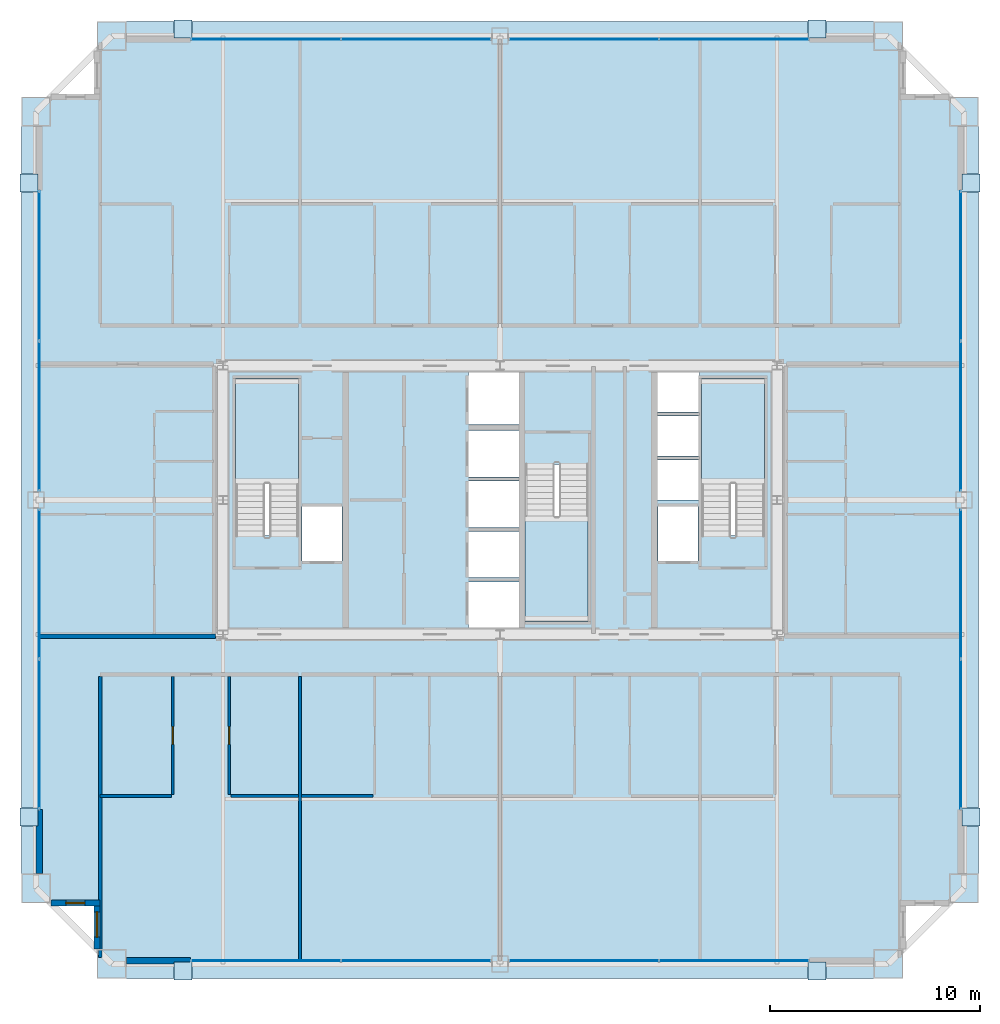
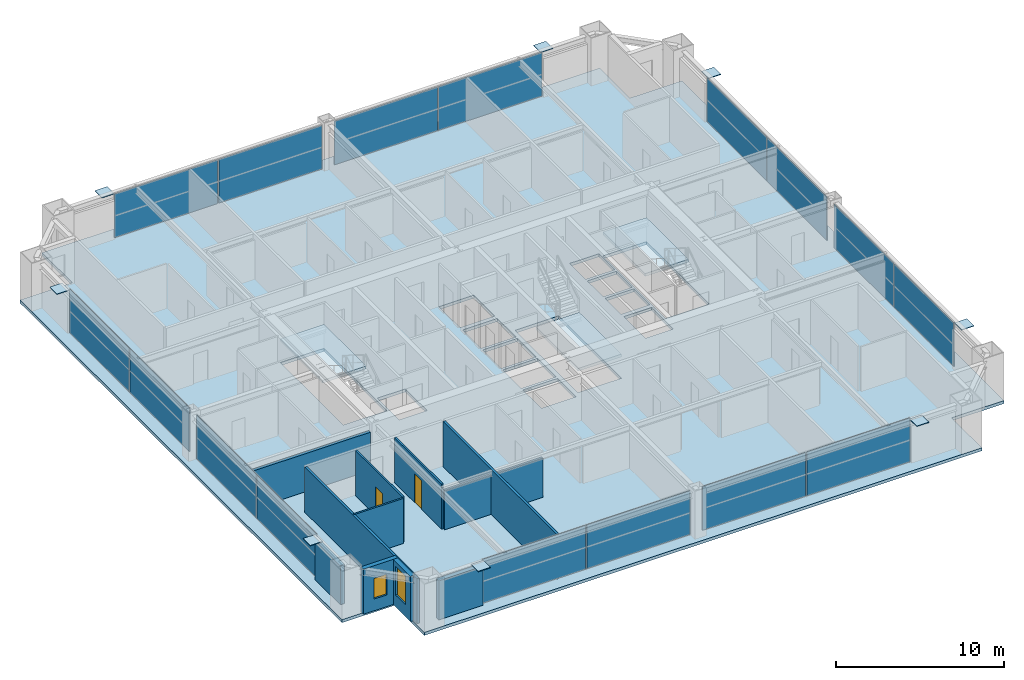
# One storey, part 32 of 38: 24 plates, 12 walls, 4 slabs, 2 doors, 2 windows, 4 openings, 11 elements without a shape of their own.
"""IFC4 building model written with IfcOpenShell, lengths in metres."""

from ifc_helpers import new_model, si_unit, direction, frame, frame_2d, origin, origin_2d, place, context, subcontext, project, spatial, polyline, rectangle, outline, extrude, source, transform, mapped, material, layer, layer_set, type_object, element, fill, aggregate, save


model = new_model("IFC4")

# Units and contexts
model_context = context("Model", 3, precision=1e-05, world=origin(), true_north=direction((0.0, 1.0)))
body_context = subcontext(model_context, "Body", "Model", "MODEL_VIEW")
ifc_project = project(units=[si_unit("LENGTHUNIT", "METRE"), si_unit("AREAUNIT", "SQUARE_METRE"), si_unit("VOLUMEUNIT", "CUBIC_METRE"), si_unit("PLANEANGLEUNIT", "RADIAN"), si_unit("MASSUNIT", "GRAM", prefix="KILO"), si_unit("THERMODYNAMICTEMPERATUREUNIT", "KELVIN"), si_unit("POWERUNIT", "WATT")], contexts=[model_context])

# Site, building, storey
site_placement = place(None, origin())
site = spatial("IfcSite", under=ifc_project, at=site_placement, CompositionType="ELEMENT")
building_placement = place(site_placement, origin())
building = spatial("IfcBuilding", under=site, at=building_placement, Name="Yuzanri Waterfront Tower", CompositionType="ELEMENT")
storey_placement = place(building_placement, frame((0.0, 0.0, 188.0)))
storey = spatial("IfcBuildingStorey", under=building, at=storey_placement, Name="L49", CompositionType="ELEMENT", Elevation=188.0)

# Stair, slab
ifc_material_1 = material(Name="Concrete C40", Category="concrete")
stair_type = type_object("IfcStairType", Name="Concrete C40 Core Dogleg Exit Stair", PredefinedType="HALF_TURN_STAIR", material=ifc_material_1)
stair_1_placement = place(storey_placement, origin())
stair_1 = element("IfcStair", 1, at=stair_1_placement, inside=storey, type_object=stair_type, Name="L49 Smoke-Proof Core Stair ST-01", PredefinedType="HALF_TURN_STAIR")
ifc_material_2 = material(Name="Concrete C40", Category="concrete")
ifc_layer_1 = layer(ifc_material_2, 0.179931640625)
ifc_layer_set_1 = layer_set([ifc_layer_1], Name="Concrete C40")
slab_type_1 = type_object("IfcSlabType", Name="Concrete C40 Stair Half-Landing Slab 180", PredefinedType="LANDING", material=ifc_layer_set_1)
slab_1_placement = place(storey_placement, frame((0.0, 0.0, 1.550048828125)))
slab_1 = element("IfcSlab", 2, at=slab_1_placement, type_object=slab_type_1, Name="ST-01 landing 1", PredefinedType="LANDING", context=body_context, shape_type="SweptSolid", body=[
    extrude(outline(polyline([(27.39990234375, 26.56005859375), (27.39990234375, 31.580078125), (24.39990234375, 31.580078125), (24.39990234375, 26.56005859375), (27.39990234375, 26.56005859375)])), origin(), (0.0, 0.0, 1.0), 0.199951171875),
])
aggregate(stair_1, [slab_1])

stair_2_placement = place(storey_placement, origin())
stair_2 = element("IfcStair", 3, at=stair_2_placement, inside=storey, type_object=stair_type, Name="L49 Smoke-Proof Core Stair ST-02", PredefinedType="HALF_TURN_STAIR")
slab_2_placement = place(storey_placement, frame((0.0, 0.0, 1.550048828125)))
slab_2 = element("IfcSlab", 4, at=slab_2_placement, type_object=slab_type_1, Name="ST-02 landing 1", PredefinedType="LANDING", context=body_context, shape_type="SweptSolid", body=[
    extrude(outline(polyline([(49.60009765625, 26.56005859375), (49.60009765625, 31.580078125), (46.60009765625, 31.580078125), (46.60009765625, 26.56005859375), (49.60009765625, 26.56005859375)])), origin(), (0.0, 0.0, 1.0), 0.199951171875),
])
aggregate(stair_2, [slab_2])

stair_3_placement = place(storey_placement, origin())
stair_3 = element("IfcStair", 5, at=stair_3_placement, inside=storey, type_object=stair_type, Name="L49 Smoke-Proof Core Stair ST-03", PredefinedType="HALF_TURN_STAIR")
slab_3_placement = place(storey_placement, frame((0.0, 0.0, 1.550048828125)))
slab_3 = element("IfcSlab", 6, at=slab_3_placement, type_object=slab_type_1, Name="ST-03 landing 1", PredefinedType="LANDING", context=body_context, shape_type="SweptSolid", body=[
    extrude(outline(polyline([(38.199951171875, 25.0400390625), (38.199951171875, 20.02001953125), (41.199951171875, 20.02001953125), (41.199951171875, 25.0400390625), (38.199951171875, 25.0400390625)])), origin(), (0.0, 0.0, 1.0), 0.199951171875),
])
aggregate(stair_3, [slab_3])

# Slab
ifc_material_3 = material(Name="Concrete C40", Category="concrete")
ifc_layer_2 = layer(ifc_material_3, 0.219970703125)
ifc_layer_set_2 = layer_set([ifc_layer_2], Name="Concrete C40")
slab_type_2 = type_object("IfcSlabType", Name="Concrete C40 Tower Typical Structural Floor Slab 220", PredefinedType="FLOOR", material=ifc_layer_set_2)
slab_4_placement = place(storey_placement, frame((0.0, 0.0, -0.219970703125)))
element("IfcSlab", 7, at=slab_4_placement, inside=storey, type_object=slab_type_2, Name="L49 Main Structural Floor Slab", PredefinedType="FLOOR", context=body_context, shape_type="SweptSolid", body=[
    extrude(outline(polyline([(17.800048828125, 3.0), (56.199951171875, 3.0), (56.199951171875, 6.60009765625), (59.800048828125, 6.60009765625), (59.800048828125, 45.0), (56.199951171875, 45.0), (56.199951171875, 48.60009765625), (17.800048828125, 48.60009765625), (17.800048828125, 45.0), (14.199951171875, 45.0), (14.199951171875, 6.60009765625), (17.800048828125, 6.60009765625), (17.800048828125, 3.0)]), holes=[polyline([(27.39990234375, 24.10009765625), (27.39990234375, 31.580078125), (24.39990234375, 31.580078125), (24.39990234375, 24.10009765625), (27.39990234375, 24.10009765625)]), polyline([(49.60009765625, 24.10009765625), (49.60009765625, 31.580078125), (46.60009765625, 31.580078125), (46.60009765625, 24.10009765625), (49.60009765625, 24.10009765625)]), polyline([(38.199951171875, 27.5), (38.199951171875, 20.02001953125), (41.199951171875, 20.02001953125), (41.199951171875, 27.5), (38.199951171875, 27.5)]), polyline([(27.56005859375, 22.89990234375), (29.47998046875, 22.89990234375), (29.47998046875, 25.5), (27.56005859375, 25.5), (27.56005859375, 22.89990234375)]), polyline([(44.52001953125, 22.89990234375), (46.43994140625, 22.89990234375), (46.43994140625, 25.5), (44.52001953125, 25.5), (44.52001953125, 22.89990234375)]), polyline([(35.5, 19.699951171875), (37.89990234375, 19.699951171875), (37.89990234375, 21.89990234375), (35.5, 21.89990234375), (35.5, 19.699951171875)]), polyline([(35.5, 22.10009765625), (37.89990234375, 22.10009765625), (37.89990234375, 24.300048828125), (35.5, 24.300048828125), (35.5, 22.10009765625)]), polyline([(35.5, 24.5), (37.89990234375, 24.5), (37.89990234375, 26.699951171875), (35.5, 26.699951171875), (35.5, 24.5)]), polyline([(35.5, 26.89990234375), (37.89990234375, 26.89990234375), (37.89990234375, 29.10009765625), (35.5, 29.10009765625), (35.5, 26.89990234375)]), polyline([(35.5, 29.39990234375), (37.89990234375, 29.39990234375), (37.89990234375, 31.89990234375), (35.5, 31.89990234375), (35.5, 29.39990234375)]), polyline([(44.5, 25.800048828125), (46.5, 25.800048828125), (46.5, 27.699951171875), (44.5, 27.699951171875), (44.5, 25.800048828125)]), polyline([(44.5, 27.89990234375), (46.5, 27.89990234375), (46.5, 29.800048828125), (44.5, 29.800048828125), (44.5, 27.89990234375)]), polyline([(44.5, 30.0), (46.5, 30.0), (46.5, 31.89990234375), (44.5, 31.89990234375), (44.5, 30.0)])]), origin(), (0.0, 0.0, 1.0), 0.219970703125),
])

# Plates
ifc_material_4 = material(Name="Steel Q420GJC", Category="steel")
ifc_layer_3 = layer(ifc_material_4, 0.0400390625)
ifc_layer_set_3 = layer_set([ifc_layer_3], Name="Steel Q420GJC")
plate_type_1 = type_object("IfcPlateType", Name="Steel Q420GJC Mega-Brace Gusset and End-Cap Plate 40", PredefinedType="SHEET", material=ifc_layer_set_3)
shared_shape_1 = source(origin(), body_context, "Body", "SweptSolid", [
    extrude(rectangle(XDim=0.85009765625, YDim=0.85009765625, at=origin_2d()), origin(), (0.0, 0.0, 1.0), 0.0400390625),
])
for number, where, z_axis, x_axis, name in (
    (8, (21.89990234375, 3.360107421875, 3.159912109375), (0.0, 0.0, 1.0), (1.0, 0.0, 0.0), "L49 Mega-Brace Apex Cap Plate S-L"),
    (9, (52.10009765625, 3.360107421875, 3.159912109375), (0.0, 0.0, 1.0), (1.0, 0.0, 0.0), "L49 Mega-Brace Apex Cap Plate S-R"),
    (10, (21.89990234375, 48.239990234375, 3.159912109375), (0.0, 0.0, 1.0), (1.0, 0.0, 0.0), "L49 Mega-Brace Apex Cap Plate N-L"),
    (11, (52.10009765625, 48.239990234375, 3.159912109375), (0.0, 0.0, 1.0), (1.0, 0.0, 0.0), "L49 Mega-Brace Apex Cap Plate N-R"),
    (12, (14.56005859375, 10.699951171875, 3.159912109375), (0.0, 0.0, 1.0), (1.0, 0.0, 0.0), "L49 Mega-Brace Apex Cap Plate W-L"),
    (13, (14.56005859375, 40.89990234375, 3.159912109375), (0.0, 0.0, 1.0), (1.0, 0.0, 0.0), "L49 Mega-Brace Apex Cap Plate W-R"),
    (14, (59.43994140625, 10.699951171875, 3.159912109375), (0.0, 0.0, 1.0), (1.0, 0.0, 0.0), "L49 Mega-Brace Apex Cap Plate E-L"),
    (15, (59.43994140625, 40.89990234375, 3.159912109375), (0.0, 0.0, 1.0), (1.0, 0.0, 0.0), "L49 Mega-Brace Apex Cap Plate E-R"),
):
    element("IfcPlate", number, at=place(storey_placement, frame(where, z_axis=z_axis, x_axis=x_axis)), inside=storey, type_object=plate_type_1, Name=name, PredefinedType="SHEET", context=body_context, shape_type="MappedRepresentation", body=[
        mapped(shared_shape_1, transform((0.0, 0.0, 0.0), scale=1.0)),
    ])

# Curtain wall, plates
ifc_material_5 = material(Name="Anodized Architectural Bronze", Category="metal")
ifc_layer_4 = layer(ifc_material_5, 0.159912109375)
ifc_layer_set_4 = layer_set([ifc_layer_4], Name="Anodized Architectural Bronze")
curtain_wall_type = type_object("IfcCurtainWallType", Name="Anodized Bronze Mid-Rise Residential Acoustic Unitized Curtain Wall 7200", PredefinedType="NOTDEFINED", material=ifc_layer_set_4)
curtain_wall_1_placement = place(storey_placement, origin())
curtain_wall_1 = element("IfcCurtainWall", 16, at=curtain_wall_1_placement, inside=storey, type_object=curtain_wall_type, Name="L49 Curtain Wall CW-L49-SL", PredefinedType="NOTDEFINED")
ifc_material_6 = material(Name="Triple Low-E Laminated Insulated Glass", Category="glass")
ifc_layer_5 = layer(ifc_material_6, 0.0439453125)
ifc_layer_set_5 = layer_set([ifc_layer_5], Name="Triple Low-E Laminated Insulated Glass")
plate_type_2 = type_object("IfcPlateType", Name="Triple Glazed Acoustic Vision Glass Panel 44", PredefinedType="CURTAIN_PANEL", material=ifc_layer_set_5)
shared_shape_2 = source(origin(), body_context, "Body", "SweptSolid", [
    extrude(rectangle(XDim=7.094970703125, YDim=0.0439453125, at=origin_2d()), origin(), (0.0, 0.0, 1.0), 3.179931640625),
])
plate_1_placement = place(storey_placement, frame((25.83740234375, 3.85009765625, 0.0498046875), z_axis=(0.0, 0.0, 1.0), x_axis=(1.0, 0.0, 0.0)))
plate_1 = element("IfcPlate", 17, at=plate_1_placement, type_object=plate_type_2, Name="CW-L49-SL Vision Glass Panel 01", PredefinedType="CURTAIN_PANEL", context=body_context, shape_type="MappedRepresentation", body=[
    mapped(shared_shape_2, transform((0.0, 0.0, 0.0), scale=1.0)),
])
plate_2_placement = place(storey_placement, frame((33.012451171875, 3.85009765625, 0.0498046875), z_axis=(0.0, 0.0, 1.0), x_axis=(1.0, 0.0, 0.0)))
plate_2 = element("IfcPlate", 18, at=plate_2_placement, type_object=plate_type_2, Name="CW-L49-SL Vision Glass Panel 02", PredefinedType="CURTAIN_PANEL", context=body_context, shape_type="MappedRepresentation", body=[
    mapped(shared_shape_2, transform((0.0, 0.0, 0.0), scale=1.0)),
])
aggregate(curtain_wall_1, [plate_1, plate_2])

curtain_wall_2_placement = place(storey_placement, origin())
curtain_wall_2 = element("IfcCurtainWall", 19, at=curtain_wall_2_placement, inside=storey, type_object=curtain_wall_type, Name="L49 Curtain Wall CW-L49-SR", PredefinedType="NOTDEFINED")
plate_3_placement = place(storey_placement, frame((40.987548828125, 3.85009765625, 0.0498046875), z_axis=(0.0, 0.0, 1.0), x_axis=(1.0, 0.0, 0.0)))
plate_3 = element("IfcPlate", 20, at=plate_3_placement, type_object=plate_type_2, Name="CW-L49-SR Vision Glass Panel 01", PredefinedType="CURTAIN_PANEL", context=body_context, shape_type="MappedRepresentation", body=[
    mapped(shared_shape_2, transform((0.0, 0.0, 0.0), scale=1.0)),
])
plate_4_placement = place(storey_placement, frame((48.16259765625, 3.85009765625, 0.0498046875), z_axis=(0.0, 0.0, 1.0), x_axis=(1.0, 0.0, 0.0)))
plate_4 = element("IfcPlate", 21, at=plate_4_placement, type_object=plate_type_2, Name="CW-L49-SR Vision Glass Panel 02", PredefinedType="CURTAIN_PANEL", context=body_context, shape_type="MappedRepresentation", body=[
    mapped(shared_shape_2, transform((0.0, 0.0, 0.0), scale=1.0)),
])
aggregate(curtain_wall_2, [plate_3, plate_4])

curtain_wall_3_placement = place(storey_placement, origin())
curtain_wall_3 = element("IfcCurtainWall", 22, at=curtain_wall_3_placement, inside=storey, type_object=curtain_wall_type, Name="L49 Curtain Wall CW-L49-NL", PredefinedType="NOTDEFINED")
plate_5_placement = place(storey_placement, frame((25.83740234375, 47.75, 0.0498046875), z_axis=(0.0, 0.0, 1.0), x_axis=(1.0, 0.0, 0.0)))
plate_5 = element("IfcPlate", 23, at=plate_5_placement, type_object=plate_type_2, Name="CW-L49-NL Vision Glass Panel 01", PredefinedType="CURTAIN_PANEL", context=body_context, shape_type="MappedRepresentation", body=[
    mapped(shared_shape_2, transform((0.0, 0.0, 0.0), scale=1.0)),
])
plate_6_placement = place(storey_placement, frame((33.012451171875, 47.75, 0.0498046875), z_axis=(0.0, 0.0, 1.0), x_axis=(1.0, 0.0, 0.0)))
plate_6 = element("IfcPlate", 24, at=plate_6_placement, type_object=plate_type_2, Name="CW-L49-NL Vision Glass Panel 02", PredefinedType="CURTAIN_PANEL", context=body_context, shape_type="MappedRepresentation", body=[
    mapped(shared_shape_2, transform((0.0, 0.0, 0.0), scale=1.0)),
])
aggregate(curtain_wall_3, [plate_5, plate_6])

curtain_wall_4_placement = place(storey_placement, origin())
curtain_wall_4 = element("IfcCurtainWall", 25, at=curtain_wall_4_placement, inside=storey, type_object=curtain_wall_type, Name="L49 Curtain Wall CW-L49-NR", PredefinedType="NOTDEFINED")
plate_7_placement = place(storey_placement, frame((40.987548828125, 47.75, 0.0498046875), z_axis=(0.0, 0.0, 1.0), x_axis=(1.0, 0.0, 0.0)))
plate_7 = element("IfcPlate", 26, at=plate_7_placement, type_object=plate_type_2, Name="CW-L49-NR Vision Glass Panel 01", PredefinedType="CURTAIN_PANEL", context=body_context, shape_type="MappedRepresentation", body=[
    mapped(shared_shape_2, transform((0.0, 0.0, 0.0), scale=1.0)),
])
plate_8_placement = place(storey_placement, frame((48.16259765625, 47.75, 0.0498046875), z_axis=(0.0, 0.0, 1.0), x_axis=(1.0, 0.0, 0.0)))
plate_8 = element("IfcPlate", 27, at=plate_8_placement, type_object=plate_type_2, Name="CW-L49-NR Vision Glass Panel 02", PredefinedType="CURTAIN_PANEL", context=body_context, shape_type="MappedRepresentation", body=[
    mapped(shared_shape_2, transform((0.0, 0.0, 0.0), scale=1.0)),
])
aggregate(curtain_wall_4, [plate_7, plate_8])

curtain_wall_5_placement = place(storey_placement, origin())
curtain_wall_5 = element("IfcCurtainWall", 28, at=curtain_wall_5_placement, inside=storey, type_object=curtain_wall_type, Name="L49 Curtain Wall CW-L49-WL", PredefinedType="NOTDEFINED")
plate_9_placement = place(storey_placement, frame((15.050048828125, 14.637451171875, 0.0498046875), z_axis=(0.0, 0.0, 1.0), x_axis=(0.0, 1.0, 0.0)))
plate_9 = element("IfcPlate", 29, at=plate_9_placement, type_object=plate_type_2, Name="CW-L49-WL Vision Glass Panel 01", PredefinedType="CURTAIN_PANEL", context=body_context, shape_type="MappedRepresentation", body=[
    mapped(shared_shape_2, transform((0.0, 0.0, 0.0), scale=1.0)),
])
plate_10_placement = place(storey_placement, frame((15.050048828125, 21.8125, 0.0498046875), z_axis=(0.0, 0.0, 1.0), x_axis=(0.0, 1.0, 0.0)))
plate_10 = element("IfcPlate", 30, at=plate_10_placement, type_object=plate_type_2, Name="CW-L49-WL Vision Glass Panel 02", PredefinedType="CURTAIN_PANEL", context=body_context, shape_type="MappedRepresentation", body=[
    mapped(shared_shape_2, transform((0.0, 0.0, 0.0), scale=1.0)),
])
aggregate(curtain_wall_5, [plate_9, plate_10])

curtain_wall_6_placement = place(storey_placement, origin())
curtain_wall_6 = element("IfcCurtainWall", 31, at=curtain_wall_6_placement, inside=storey, type_object=curtain_wall_type, Name="L49 Curtain Wall CW-L49-WR", PredefinedType="NOTDEFINED")
plate_11_placement = place(storey_placement, frame((15.050048828125, 29.78759765625, 0.0498046875), z_axis=(0.0, 0.0, 1.0), x_axis=(0.0, 1.0, 0.0)))
plate_11 = element("IfcPlate", 32, at=plate_11_placement, type_object=plate_type_2, Name="CW-L49-WR Vision Glass Panel 01", PredefinedType="CURTAIN_PANEL", context=body_context, shape_type="MappedRepresentation", body=[
    mapped(shared_shape_2, transform((0.0, 0.0, 0.0), scale=1.0)),
])
plate_12_placement = place(storey_placement, frame((15.050048828125, 36.96240234375, 0.0498046875), z_axis=(0.0, 0.0, 1.0), x_axis=(0.0, 1.0, 0.0)))
plate_12 = element("IfcPlate", 33, at=plate_12_placement, type_object=plate_type_2, Name="CW-L49-WR Vision Glass Panel 02", PredefinedType="CURTAIN_PANEL", context=body_context, shape_type="MappedRepresentation", body=[
    mapped(shared_shape_2, transform((0.0, 0.0, 0.0), scale=1.0)),
])
aggregate(curtain_wall_6, [plate_11, plate_12])

curtain_wall_7_placement = place(storey_placement, origin())
curtain_wall_7 = element("IfcCurtainWall", 34, at=curtain_wall_7_placement, inside=storey, type_object=curtain_wall_type, Name="L49 Curtain Wall CW-L49-EL", PredefinedType="NOTDEFINED")
plate_13_placement = place(storey_placement, frame((58.949951171875, 14.637451171875, 0.0498046875), z_axis=(0.0, 0.0, 1.0), x_axis=(0.0, 1.0, 0.0)))
plate_13 = element("IfcPlate", 35, at=plate_13_placement, type_object=plate_type_2, Name="CW-L49-EL Vision Glass Panel 01", PredefinedType="CURTAIN_PANEL", context=body_context, shape_type="MappedRepresentation", body=[
    mapped(shared_shape_2, transform((0.0, 0.0, 0.0), scale=1.0)),
])
plate_14_placement = place(storey_placement, frame((58.949951171875, 21.8125, 0.0498046875), z_axis=(0.0, 0.0, 1.0), x_axis=(0.0, 1.0, 0.0)))
plate_14 = element("IfcPlate", 36, at=plate_14_placement, type_object=plate_type_2, Name="CW-L49-EL Vision Glass Panel 02", PredefinedType="CURTAIN_PANEL", context=body_context, shape_type="MappedRepresentation", body=[
    mapped(shared_shape_2, transform((0.0, 0.0, 0.0), scale=1.0)),
])
aggregate(curtain_wall_7, [plate_13, plate_14])

curtain_wall_8_placement = place(storey_placement, origin())
curtain_wall_8 = element("IfcCurtainWall", 37, at=curtain_wall_8_placement, inside=storey, type_object=curtain_wall_type, Name="L49 Curtain Wall CW-L49-ER", PredefinedType="NOTDEFINED")
plate_15_placement = place(storey_placement, frame((58.949951171875, 29.78759765625, 0.0498046875), z_axis=(0.0, 0.0, 1.0), x_axis=(0.0, 1.0, 0.0)))
plate_15 = element("IfcPlate", 38, at=plate_15_placement, type_object=plate_type_2, Name="CW-L49-ER Vision Glass Panel 01", PredefinedType="CURTAIN_PANEL", context=body_context, shape_type="MappedRepresentation", body=[
    mapped(shared_shape_2, transform((0.0, 0.0, 0.0), scale=1.0)),
])
plate_16_placement = place(storey_placement, frame((58.949951171875, 36.96240234375, 0.0498046875), z_axis=(0.0, 0.0, 1.0), x_axis=(0.0, 1.0, 0.0)))
plate_16 = element("IfcPlate", 39, at=plate_16_placement, type_object=plate_type_2, Name="CW-L49-ER Vision Glass Panel 02", PredefinedType="CURTAIN_PANEL", context=body_context, shape_type="MappedRepresentation", body=[
    mapped(shared_shape_2, transform((0.0, 0.0, 0.0), scale=1.0)),
])
aggregate(curtain_wall_8, [plate_15, plate_16])

# Wall, opening, door
ifc_material_7 = material(Name="Moisture-Resistant Gypsum Stud Wall", Category="gypsum")
ifc_layer_6 = layer(ifc_material_7, 0.1201171875)
ifc_layer_set_6 = layer_set([ifc_layer_6], Name="Moisture-Resistant Gypsum Stud Wall")
wall_type_1 = type_object("IfcWallType", Name="Bathroom and Kitchen Wet Partition 120", PredefinedType="PARTITIONING", material=ifc_layer_set_6)
wall_1_placement = place(storey_placement, frame((21.419921875, 11.780029296875, 0.0), z_axis=(0.0, 0.0, 1.0), x_axis=(0.0, 1.0, 0.0)))
wall_1 = element("IfcWall", 40, at=wall_1_placement, inside=storey, type_object=wall_type_1, Name="L49 Partition UW-L49-RS1-SUB-1-E", PredefinedType="PARTITIONING", context=body_context, shape_type="SweptSolid", body=[
    extrude(rectangle(XDim=5.60986328125, YDim=0.1201171875, at=frame_2d((2.804931640625, 0.0))), origin(), (0.0, 0.0, 1.0), 3.280029296875),
])
opening_1_placement = place(wall_1_placement, frame((2.3798828125, 0.0, 0.0)))
opening_1 = element("IfcOpeningElement", 41, at=opening_1_placement, cuts=wall_1, Name="Opening ID-0850", PredefinedType="OPENING", context=body_context, shape_type="SweptSolid", body=[
    extrude(rectangle(XDim=0.85009765625, YDim=2.10009765625, at=frame_2d((0.425048828125, 1.050048828125))), frame((0.0, 0.074951171875, 0.0), z_axis=(0.0, -1.0, 0.0), x_axis=(1.0, 0.0, 0.0)), (0.0, 0.0, 1.0), 0.14990234375),
])
ifc_material_8 = material(Name="Moisture-Resistant Lacquered Timber", Category="wood")
door_type = type_object("IfcDoorType", Name="En-Suite Bathroom and Kitchen Swing Door 850x2100", OperationType="NOTDEFINED", PredefinedType="DOOR", material=ifc_material_8)
shared_shape_3 = source(origin(), body_context, "Body", "SweptSolid", [
    extrude(rectangle(XDim=0.85009765625, YDim=2.10009765625, at=frame_2d((0.425048828125, 1.050048828125))), frame((0.0, 0.02490234375, 0.0), z_axis=(0.0, -1.0, 0.0), x_axis=(1.0, 0.0, 0.0)), (0.0, 0.0, 1.0), 0.050048828125),
])
door_1_placement = place(opening_1_placement, origin())
door_1 = element("IfcDoor", 42, at=door_1_placement, inside=storey, type_object=door_type, Name="L49 Suite Interior Room Door", OperationType="SINGLE_SWING_LEFT", OverallHeight=2.10009765625, OverallWidth=0.85009765625, PredefinedType="DOOR", context=body_context, shape_type="MappedRepresentation", body=[
    mapped(shared_shape_3, transform((0.0, 0.0, 0.0), scale=1.0)),
])
fill(opening_1, door_1)

wall_2_placement = place(storey_placement, frame((24.110107421875, 11.780029296875, 0.0), z_axis=(0.0, 0.0, 1.0), x_axis=(0.0, 1.0, 0.0)))
wall_2 = element("IfcWall", 43, at=wall_2_placement, inside=storey, type_object=wall_type_1, Name="L49 Partition UW-L49-RS1-SUB-2-W", PredefinedType="PARTITIONING", context=body_context, shape_type="SweptSolid", body=[
    extrude(rectangle(XDim=5.60986328125, YDim=0.1201171875, at=frame_2d((2.804931640625, 0.0))), origin(), (0.0, 0.0, 1.0), 3.280029296875),
])
opening_2_placement = place(wall_2_placement, frame((2.3798828125, 0.0, 0.0)))
opening_2 = element("IfcOpeningElement", 44, at=opening_2_placement, cuts=wall_2, Name="Opening ID-0850", PredefinedType="OPENING", context=body_context, shape_type="SweptSolid", body=[
    extrude(rectangle(XDim=0.85009765625, YDim=2.10009765625, at=frame_2d((0.425048828125, 1.050048828125))), frame((0.0, 0.074951171875, 0.0), z_axis=(0.0, -1.0, 0.0), x_axis=(1.0, 0.0, 0.0)), (0.0, 0.0, 1.0), 0.14990234375),
])
door_2_placement = place(opening_2_placement, origin())
door_2 = element("IfcDoor", 45, at=door_2_placement, inside=storey, type_object=door_type, Name="L49 Suite Interior Room Door", OperationType="SINGLE_SWING_RIGHT", OverallHeight=2.10009765625, OverallWidth=0.85009765625, PredefinedType="DOOR", context=body_context, shape_type="MappedRepresentation", body=[
    mapped(shared_shape_3, transform((0.0, 0.0, 0.0), scale=1.0)),
])
fill(opening_2, door_2)

# Wall, opening, window
ifc_material_9 = material(Name="Honed Chongqing Dark Basalt Stone", Category="masonry")
ifc_layer_7 = layer(ifc_material_9, 0.300048828125)
ifc_layer_set_7 = layer_set([ifc_layer_7], Name="Honed Chongqing Dark Basalt Stone")
wall_type_2 = type_object("IfcWallType", Name="Bronze Rainscreen Insulated Spandrel Portal Wall 300", PredefinedType="SOLIDWALL", material=ifc_layer_set_7)
wall_3_placement = place(storey_placement, frame((15.60009765625, 6.60009765625, 0.0), z_axis=(0.0, 0.0, 1.0), x_axis=(1.0, 0.0, 0.0)))
wall_3 = element("IfcWall", 46, at=wall_3_placement, inside=storey, type_object=wall_type_2, Name="L49 Notched Corner Masonry Wall SW-X", PredefinedType="SOLIDWALL", context=body_context, shape_type="SweptSolid", body=[
    extrude(rectangle(XDim=2.349853515625, YDim=0.300048828125, at=frame_2d((1.1748046875, 0.0))), origin(), (0.0, 0.0, 1.0), 3.280029296875),
])
opening_3_placement = place(wall_3_placement, frame((0.72509765625, 0.0, 0.85009765625)))
opening_3 = element("IfcOpeningElement", 47, at=opening_3_placement, cuts=wall_3, Name="Opening WN-05", PredefinedType="OPENING", context=body_context, shape_type="SweptSolid", body=[
    extrude(rectangle(XDim=0.89990234375, YDim=1.5, at=frame_2d((0.449951171875, 0.75))), frame((0.0, 0.1650390625, 0.0), z_axis=(0.0, -1.0, 0.0), x_axis=(1.0, 0.0, 0.0)), (0.0, 0.0, 1.0), 0.329833984375),
])
ifc_material_10 = material(Name="Double-Silver Low-E Insulated Glass", Category="glass")
window_type_1 = type_object("IfcWindowType", Name="Anodized Bronze Service and Stairwell Smoke-Vent Window 900x1500", PartitioningType="SINGLE_PANEL", PredefinedType="WINDOW", material=ifc_material_10)
shared_shape_4 = source(origin(), body_context, "Body", "SweptSolid", [
    extrude(rectangle(XDim=0.89990234375, YDim=1.5, at=frame_2d((0.449951171875, 0.75))), frame((0.0, 0.030029296875, 0.0), z_axis=(0.0, -1.0, 0.0), x_axis=(1.0, 0.0, 0.0)), (0.0, 0.0, 1.0), 0.06005859375),
])
window_1_placement = place(opening_3_placement, origin())
window_1 = element("IfcWindow", 48, at=window_1_placement, inside=storey, type_object=window_type_1, Name="L49 Notched Corner Window SW-X", OverallHeight=1.5, OverallWidth=0.89990234375, PartitioningType="SINGLE_PANEL", PredefinedType="WINDOW", context=body_context, shape_type="MappedRepresentation", body=[
    mapped(shared_shape_4, transform((0.0, 0.0, 0.0), scale=1.0)),
])
fill(opening_3, window_1)

wall_4_placement = place(storey_placement, frame((17.800048828125, 6.75, 0.0), z_axis=(0.0, 0.0, 1.0), x_axis=(0.0, -1.0, 0.0)))
wall_4 = element("IfcWall", 49, at=wall_4_placement, inside=storey, type_object=wall_type_2, Name="L49 Notched Corner Masonry Wall SW-Y", PredefinedType="SOLIDWALL", context=body_context, shape_type="SweptSolid", body=[
    extrude(rectangle(XDim=2.35009765625, YDim=0.300048828125, at=frame_2d((1.175048828125, 0.0))), origin(), (0.0, 0.0, 1.0), 3.280029296875),
])
opening_4_placement = place(wall_4_placement, frame((0.574951171875, 0.0, 0.85009765625)))
opening_4 = element("IfcOpeningElement", 50, at=opening_4_placement, cuts=wall_4, Name="Opening WN-02", PredefinedType="OPENING", context=body_context, shape_type="SweptSolid", body=[
    extrude(rectangle(XDim=1.199951171875, YDim=2.10009765625, at=frame_2d((0.60009765625, 1.050048828125))), frame((0.0, 0.1650390625, 0.0), z_axis=(0.0, -1.0, 0.0), x_axis=(1.0, 0.0, 0.0)), (0.0, 0.0, 1.0), 0.329833984375),
])
ifc_material_11 = material(Name="Double-Silver Low-E Insulated Glass", Category="glass")
window_type_2 = type_object("IfcWindowType", Name="Anodized Bronze Notched Corner Deep-Set Slot Window 1200x2100", PartitioningType="SINGLE_PANEL", PredefinedType="WINDOW", material=ifc_material_11)
shared_shape_5 = source(origin(), body_context, "Body", "SweptSolid", [
    extrude(rectangle(XDim=1.199951171875, YDim=2.10009765625, at=frame_2d((0.60009765625, 1.050048828125))), frame((0.0, 0.030029296875, 0.0), z_axis=(0.0, -1.0, 0.0), x_axis=(1.0, 0.0, 0.0)), (0.0, 0.0, 1.0), 0.06005859375),
])
window_2_placement = place(opening_4_placement, origin())
window_2 = element("IfcWindow", 51, at=window_2_placement, inside=storey, type_object=window_type_2, Name="L49 Notched Corner Window SW-Y", OverallHeight=2.10009765625, OverallWidth=1.199951171875, PartitioningType="SINGLE_PANEL", PredefinedType="WINDOW", context=body_context, shape_type="MappedRepresentation", body=[
    mapped(shared_shape_5, transform((0.0, 0.0, 0.0), scale=1.0)),
])
fill(opening_4, window_2)

# Walls
shared_shape_6 = source(origin(), body_context, "Body", "SweptSolid", [
    extrude(rectangle(XDim=3.050048828125, YDim=0.300048828125, at=frame_2d((1.52490234375, 0.0))), origin(), (0.0, 0.0, 1.0), 2.8349609375),
])
for number, where, z_axis, x_axis, name in (
    (52, (19.199951171875, 3.85009765625, 0.0), (0.0, 0.0, 1.0), (1.0, 0.0, 0.0), "L49 S Left Braced Masonry Shoulder"),
    (53, (15.050048828125, 8.0, 0.0), (0.0, 0.0, 1.0), (0.0, 1.0, 0.0), "L49 W Left Braced Masonry Shoulder"),
):
    element("IfcWall", number, at=place(storey_placement, frame(where, z_axis=z_axis, x_axis=x_axis)), inside=storey, type_object=wall_type_2, Name=name, PredefinedType="SOLIDWALL", context=body_context, shape_type="MappedRepresentation", body=[
        mapped(shared_shape_6, transform((0.0, 0.0, 0.0), scale=1.0)),
    ])
ifc_material_12 = material(Name="Gypsum Fireboard Acoustic Stud Wall", Category="gypsum")
ifc_layer_8 = layer(ifc_material_12, 0.159912109375)
ifc_layer_set_8 = layer_set([ifc_layer_8], Name="Gypsum Fireboard Acoustic Stud Wall")
wall_type_3 = type_object("IfcWallType", Name="Acoustic Suite Demising Partition 160", PredefinedType="PARTITIONING", material=ifc_layer_set_8)
shared_shape_7 = source(origin(), body_context, "Body", "SweptSolid", [
    extrude(rectangle(XDim=13.539794921875, YDim=0.159912109375, at=frame_2d((6.77001953125, 0.0))), origin(), (0.0, 0.0, 1.0), 3.280029296875),
])
wall_5_placement = place(storey_placement, frame((27.469970703125, 3.85009765625, 0.0), z_axis=(0.0, 0.0, 1.0), x_axis=(0.0, 1.0, 0.0)))
element("IfcWall", 54, at=wall_5_placement, inside=storey, type_object=wall_type_3, Name="L49-RS1 Party Wall", PredefinedType="PARTITIONING", context=body_context, shape_type="MappedRepresentation", body=[
    mapped(shared_shape_7, transform((0.0, 0.0, 0.0), scale=1.0)),
])
shared_shape_8 = source(origin(), body_context, "Body", "SweptSolid", [
    extrude(rectangle(XDim=3.400146484375, YDim=0.1201171875, at=frame_2d((1.7001953125, 0.0))), origin(), (0.0, 0.0, 1.0), 3.280029296875),
])
wall_6_placement = place(storey_placement, frame((17.93994140625, 11.699951171875, 0.0), z_axis=(0.0, 0.0, 1.0), x_axis=(1.0, 0.0, 0.0)))
element("IfcWall", 55, at=wall_6_placement, inside=storey, type_object=wall_type_1, Name="L49 Partition UW-L49-RS1-SUB-1-S", PredefinedType="PARTITIONING", context=body_context, shape_type="MappedRepresentation", body=[
    mapped(shared_shape_8, transform((0.0, 0.0, 0.0), scale=1.0)),
])
shared_shape_9 = source(origin(), body_context, "Body", "SweptSolid", [
    extrude(rectangle(XDim=3.199951171875, YDim=0.1201171875, at=frame_2d((1.60009765625, 0.0))), origin(), (0.0, 0.0, 1.0), 2.875),
])
wall_7_placement = place(storey_placement, frame((24.18994140625, 11.699951171875, 0.0), z_axis=(0.0, 0.0, 1.0), x_axis=(1.0, 0.0, 0.0)))
element("IfcWall", 56, at=wall_7_placement, inside=storey, type_object=wall_type_1, Name="L49 Partition UW-L49-RS1-SUB-2-S", PredefinedType="PARTITIONING", context=body_context, shape_type="MappedRepresentation", body=[
    mapped(shared_shape_9, transform((0.0, 0.0, 0.0), scale=1.0)),
])
shared_shape_10 = source(origin(), body_context, "Body", "SweptSolid", [
    extrude(rectangle(XDim=3.39404296875, YDim=0.1201171875, at=frame_2d((1.697021484375, 0.0))), origin(), (0.0, 0.0, 1.0), 2.875),
])
wall_8_placement = place(storey_placement, frame((27.550048828125, 11.699951171875, 0.0), z_axis=(0.0, 0.0, 1.0), x_axis=(1.0, 0.0, 0.0)))
element("IfcWall", 57, at=wall_8_placement, inside=storey, type_object=wall_type_1, Name="L49 Partition UW-L49-RS2-SUB-1-S", PredefinedType="PARTITIONING", context=body_context, shape_type="MappedRepresentation", body=[
    mapped(shared_shape_10, transform((0.0, 0.0, 0.0), scale=1.0)),
])
shared_shape_11 = source(origin(), body_context, "Body", "SweptSolid", [
    extrude(rectangle(XDim=13.389892578125, YDim=0.159912109375, at=frame_2d((6.69482421875, 0.0))), origin(), (0.0, 0.0, 1.0), 3.280029296875),
])
wall_9_placement = place(storey_placement, frame((17.949951171875, 4.0, 0.0), z_axis=(0.0, 0.0, 1.0), x_axis=(0.0, 1.0, 0.0)))
element("IfcWall", 58, at=wall_9_placement, inside=storey, type_object=wall_type_3, Name="L49 South Band West End Wall", PredefinedType="PARTITIONING", context=body_context, shape_type="MappedRepresentation", body=[
    mapped(shared_shape_11, transform((0.0, 0.0, 0.0), scale=1.0)),
])
ifc_material_13 = material(Name="Autoclaved Aerated Concrete Blockwork", Category="masonry")
ifc_layer_9 = layer(ifc_material_13, 0.199951171875)
ifc_layer_set_9 = layer_set([ifc_layer_9], Name="Autoclaved Aerated Concrete Blockwork")
wall_type_4 = type_object("IfcWallType", Name="Corridor and Unit Party Fire Wall 200", PredefinedType="PARTITIONING", material=ifc_layer_set_9)
shared_shape_12 = source(origin(), body_context, "Body", "SweptSolid", [
    extrude(rectangle(XDim=8.39990234375, YDim=0.199951171875, at=frame_2d((4.199951171875, 0.0))), origin(), (0.0, 0.0, 1.0), 2.77490234375),
])
wall_10_placement = place(storey_placement, frame((15.050048828125, 19.31005859375, 0.0), z_axis=(0.0, 0.0, 1.0), x_axis=(1.0, 0.0, 0.0)))
element("IfcWall", 59, at=wall_10_placement, inside=storey, type_object=wall_type_4, Name="L49-RW1 Wing South Wall", PredefinedType="PARTITIONING", context=body_context, shape_type="MappedRepresentation", body=[
    mapped(shared_shape_12, transform((0.0, 0.0, 0.0), scale=1.0)),
])

save(model, "model.ifc")
